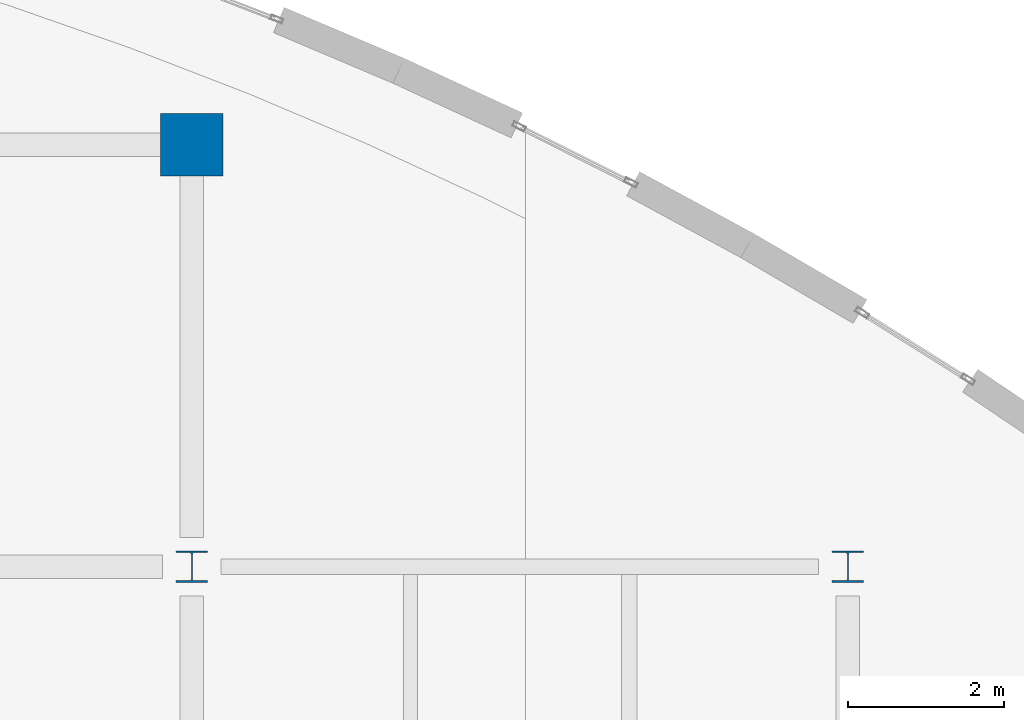
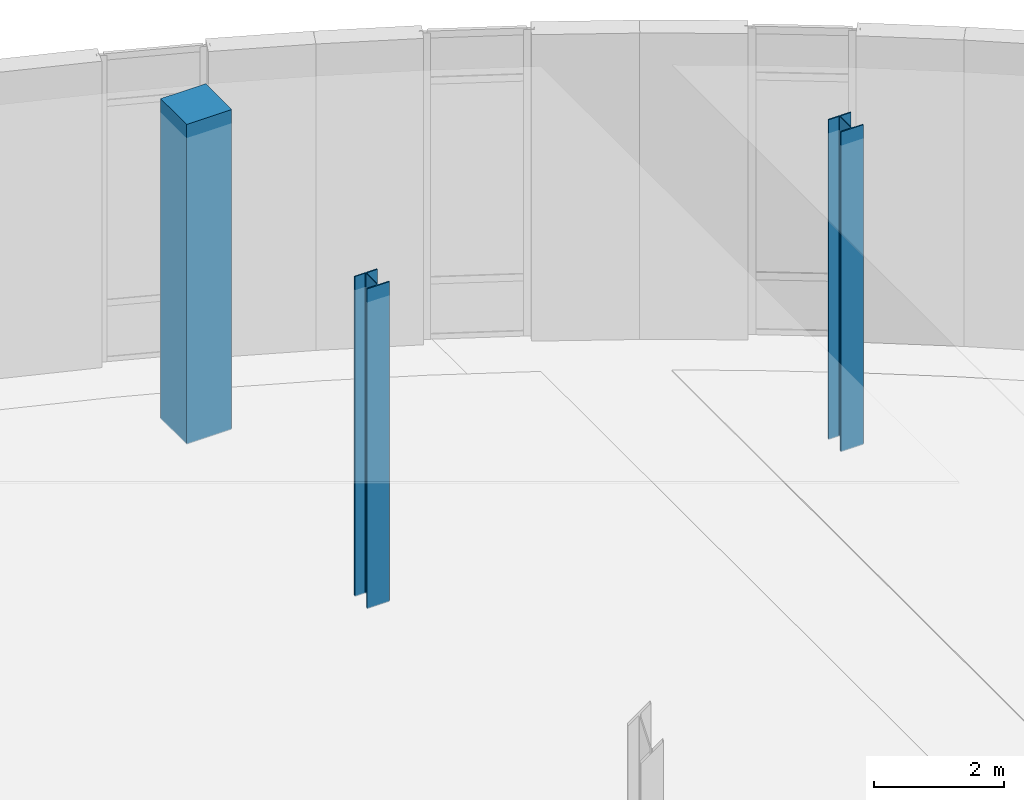
# One storey, part 15 of 85: 3 columns.
"""IFC4 building model written with IfcOpenShell, lengths in metres."""

from ifc_helpers import new_model, si_unit, direction, frame, origin, origin_2d, place, context, subcontext, project, spatial, rectangle, i_section, extrude, material, material_profile, profile_set, type_object, element, save


model = new_model("IFC4")

# Units and contexts
model_context = context("Model", 3, precision=1e-05, world=origin(), true_north=direction((0.0, 1.0)))
body_context = subcontext(model_context, "Body", "Model", "MODEL_VIEW")
ifc_project = project(units=[si_unit("LENGTHUNIT", "METRE"), si_unit("AREAUNIT", "SQUARE_METRE"), si_unit("VOLUMEUNIT", "CUBIC_METRE"), si_unit("PLANEANGLEUNIT", "RADIAN"), si_unit("MASSUNIT", "GRAM", prefix="KILO"), si_unit("THERMODYNAMICTEMPERATUREUNIT", "KELVIN")], contexts=[model_context])

# Site, building, storey
site_placement = place(None, origin())
site = spatial("IfcSite", under=ifc_project, at=site_placement, CompositionType="ELEMENT")
building_placement = place(site_placement, origin())
building = spatial("IfcBuilding", under=site, at=building_placement, Name="Lustrewick Department Store", CompositionType="ELEMENT")
storey_placement = place(building_placement, origin())
storey = spatial("IfcBuildingStorey", under=building, at=storey_placement, Name="L01", CompositionType="ELEMENT", Elevation=0.0)

# Columns
ifc_material_1 = material(Name="Structural steel Q355B", Category="steel")
ifc_material_profile_1 = material_profile(ifc_material_1, i_section(OverallWidth=0.39990234375, OverallDepth=0.39990234375, WebThickness=0.012939453125, FlangeThickness=0.02099609375, FilletRadius=0.02197265625, at=origin_2d()), Name="HW 400x400x13x21")
ifc_profile_set_1 = profile_set([ifc_material_profile_1], Name="Structural steel Q355B")
column_type_1 = type_object("IfcColumnType", Name="C11", PredefinedType="COLUMN", material=ifc_profile_set_1)
for number, where, z_axis, x_axis, name in (
    (1, (134.39990234375, 100.800048828125, 0.0), (0.0, 0.0, 1.0), (1.0, 0.0, 0.0), "L01 V4 Column C11"),
    (2, (142.800048828125, 100.800048828125, 0.0), (0.0, 0.0, 1.0), (1.0, 0.0, 0.0), "L01 V4 Column C11"),
):
    element("IfcColumn", number, at=place(storey_placement, frame(where, z_axis=z_axis, x_axis=x_axis)), inside=storey, type_object=column_type_1, Name=name, PredefinedType="COLUMN", context=body_context, shape_type="SweptSolid", body=[
        extrude(i_section(OverallWidth=0.39990234375, OverallDepth=0.39990234375, WebThickness=0.012939453125, FlangeThickness=0.02099609375, FilletRadius=0.02197265625, at=origin_2d()), origin(), (0.0, 0.0, 1.0), 6.0),
    ])
ifc_material_2 = material(Name="Concrete C40", Category="concrete")
ifc_material_profile_2 = material_profile(ifc_material_2, rectangle(XDim=0.800048828125, YDim=0.800048828125, at=origin_2d()), Name="RC 800x800")
ifc_profile_set_2 = profile_set([ifc_material_profile_2], Name="Concrete C40")
column_type_2 = type_object("IfcColumnType", Name="C19", PredefinedType="COLUMN", material=ifc_profile_set_2)
column_placement = place(storey_placement, frame((134.39990234375, 106.199951171875, 0.0), z_axis=(0.0, 0.0, 1.0), x_axis=(1.0, 0.0, 0.0)))
element("IfcColumn", 3, at=column_placement, inside=storey, type_object=column_type_2, Name="L01 V4 Column C19", PredefinedType="COLUMN", context=body_context, shape_type="SweptSolid", body=[
    extrude(rectangle(XDim=0.800048828125, YDim=0.800048828125, at=origin_2d()), origin(), (0.0, 0.0, 1.0), 6.0),
])

save(model, "model.ifc")
